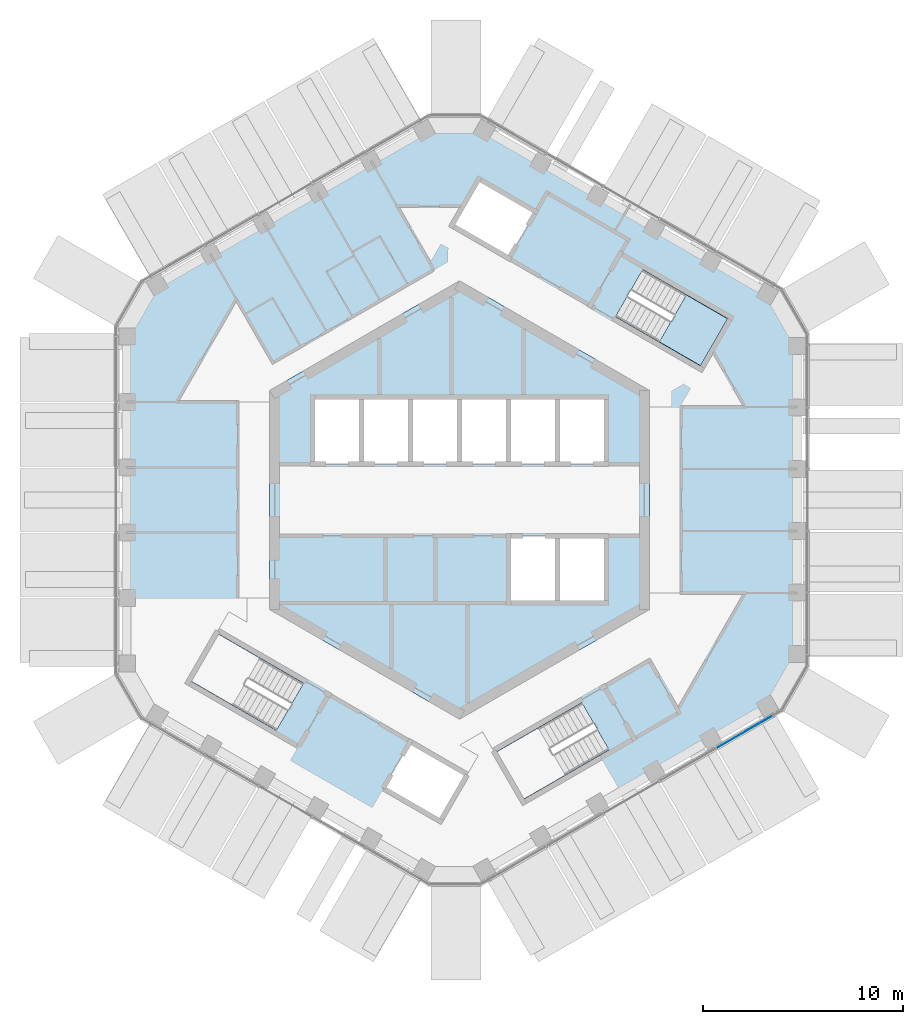
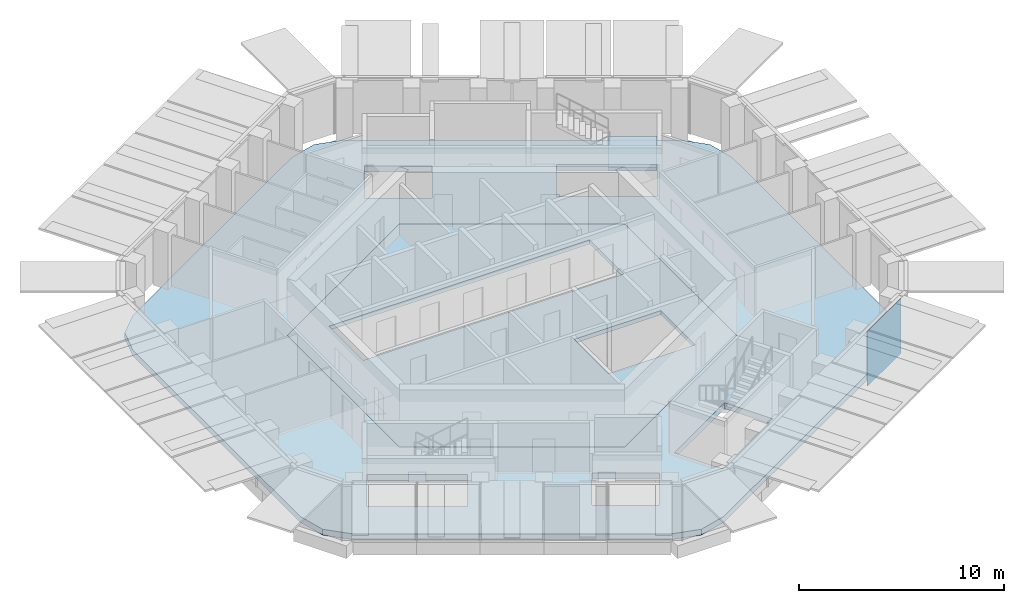
# One storey, part 9 of 17: 3 slabs, 1 plate, 2 elements without a shape of their own.
"""IFC4 building model written with IfcOpenShell, lengths in metres."""

from ifc_helpers import new_model, si_unit, direction, frame, origin, origin_2d, place, context, subcontext, project, spatial, polyline, rectangle, outline, extrude, material, layer, layer_set, type_object, element, aggregate, save


model = new_model("IFC4")

# Units and contexts
model_context = context("Model", 3, precision=1e-05, world=origin(), true_north=direction((0.0, 1.0)))
body_context = subcontext(model_context, "Body", "Model", "MODEL_VIEW")
ifc_project = project(units=[si_unit("LENGTHUNIT", "METRE"), si_unit("AREAUNIT", "SQUARE_METRE"), si_unit("VOLUMEUNIT", "CUBIC_METRE"), si_unit("PLANEANGLEUNIT", "RADIAN"), si_unit("MASSUNIT", "GRAM", prefix="KILO")], contexts=[model_context])

# Site, building, storey
site_placement = place(None, origin())
site = spatial("IfcSite", under=ifc_project, at=site_placement, CompositionType="ELEMENT")
building_placement = place(site_placement, origin())
building = spatial("IfcBuilding", under=site, at=building_placement, Name="Ayvan Gate Tower", CompositionType="ELEMENT")
storey_placement = place(building_placement, frame((0.0, 0.0, 232.5)))
storey = spatial("IfcBuildingStorey", under=building, at=storey_placement, Name="L62", CompositionType="ELEMENT", Elevation=232.5)

# Slabs
ifc_material_1 = material(Name="Concrete C40/50", Category="concrete")
ifc_layer_1 = layer(ifc_material_1, 0.35009765625)
ifc_layer_set_1 = layer_set([ifc_layer_1], Name="Concrete C40/50")
slab_type_1 = type_object("IfcSlabType", Name="Post-tensioned flat slab 350", PredefinedType="FLOOR", material=ifc_layer_set_1)
slab_1_placement = place(storey_placement, frame((0.0, 0.0, -0.35009765625)))
element("IfcSlab", 1, at=slab_1_placement, inside=storey, type_object=slab_type_1, Name="SL-L62", PredefinedType="FLOOR", context=body_context, shape_type="SweptSolid", body=[
    extrude(outline(polyline([(1.2626953125, -18.496826171875), (-0.2373046875, -18.89892578125), (-1.7373046875, -18.496826171875), (-15.150146484375, -10.753173828125), (-16.248291015625, -9.655029296875), (-16.650146484375, -8.155029296875), (-16.650146484375, 8.155029296875), (-16.248291015625, 9.655029296875), (-15.150146484375, 10.753173828125), (-1.7373046875, 18.496826171875), (-0.2373046875, 18.89892578125), (1.2626953125, 18.496826171875), (15.387451171875, 10.341796875), (16.485595703125, 9.243896484375), (16.887451171875, 7.743896484375), (16.887451171875, -7.743896484375), (16.485595703125, -9.243896484375), (15.387451171875, -10.341796875), (1.2626953125, -18.496826171875)]), holes=[polyline([(12.049560546875, 6.720458984375), (13.404541015625, 9.0673828125), (9.1611328125, 11.517578125), (7.80615234375, 9.170654296875), (12.049560546875, 6.720458984375)]), polyline([(9.5, 5.48486328125), (0.0, 10.9697265625), (-9.5, 5.48486328125), (-9.5, -5.48486328125), (0.0, -10.9697265625), (9.5, -5.48486328125), (9.5, 5.48486328125)]), polyline([(1.873779296875, -12.595458984375), (3.228759765625, -14.9423828125), (7.472412109375, -12.492431640625), (6.117431640625, -10.1455078125), (1.873779296875, -12.595458984375)]), polyline([(3.822509765625, 14.420654296875), (0.964599609375, 16.07080078125), (-0.385498046875, 13.732421875), (2.472412109375, 12.08251953125), (3.822509765625, 14.420654296875)]), polyline([(0.385498046875, -13.732421875), (-2.472412109375, -12.08251953125), (-3.822509765625, -14.420654296875), (-0.964599609375, -16.07080078125), (0.385498046875, -13.732421875)]), polyline([(-9.1611328125, -11.517578125), (-7.80615234375, -9.170654296875), (-12.049560546875, -6.720458984375), (-13.404541015625, -9.0673828125), (-9.1611328125, -11.517578125)])]), origin(), (0.0, 0.0, 1.0), 0.35009765625),
])
ifc_layer_2 = layer(ifc_material_1, 0.25)
ifc_layer_set_2 = layer_set([ifc_layer_2], Name="Concrete C40/50")
slab_type_2 = type_object("IfcSlabType", Name="SL-CORE-250", PredefinedType="FLOOR", material=ifc_layer_set_2)
slab_2_placement = place(storey_placement, frame((0.0, 0.0, -0.25)))
element("IfcSlab", 2, at=slab_2_placement, inside=storey, type_object=slab_type_2, Name="CS-L62", PredefinedType="FLOOR", context=body_context, shape_type="SweptSolid", body=[
    extrude(outline(polyline([(9.5, -5.48486328125), (0.0, -10.9697265625), (-9.5, -5.48486328125), (-9.5, 5.48486328125), (0.0, 10.9697265625), (9.5, 5.48486328125), (9.5, -5.48486328125)]), holes=[polyline([(-7.35009765625, 5.14990234375), (-7.35009765625, 1.800048828125), (7.35009765625, 1.800048828125), (7.35009765625, 5.14990234375), (-7.35009765625, 5.14990234375)]), polyline([(2.449951171875, -1.800048828125), (2.449951171875, -5.14990234375), (7.35009765625, -5.14990234375), (7.35009765625, -1.800048828125), (2.449951171875, -1.800048828125)])]), origin(), (0.0, 0.0, 1.0), 0.25),
])

# Stair, slab
stair_type = type_object("IfcStairType", Name="ST-EXIT", PredefinedType="HALF_TURN_STAIR", material=ifc_material_1)
stair_placement = place(storey_placement, origin())
stair = element("IfcStair", 3, at=stair_placement, inside=storey, type_object=stair_type, Name="L62 Exit Stair S1", PredefinedType="HALF_TURN_STAIR")
ifc_layer_3 = layer(ifc_material_1, 0.199951171875)
ifc_layer_set_3 = layer_set([ifc_layer_3], Name="Concrete C40/50")
slab_type_3 = type_object("IfcSlabType", Name="SL-LANDING-200", PredefinedType="LANDING", material=ifc_layer_set_3)
slab_3_placement = place(storey_placement, frame((0.0, 0.0, 1.5)))
slab_3 = element("IfcSlab", 4, at=slab_3_placement, type_object=slab_type_3, Name="STS1 landing 1", PredefinedType="LANDING", context=body_context, shape_type="SweptSolid", body=[
    extrude(outline(polyline([(9.988525390625, 7.91064453125), (12.049560546875, 6.720458984375), (13.404541015625, 9.0673828125), (11.343505859375, 10.257568359375), (9.988525390625, 7.91064453125)])), origin(), (0.0, 0.0, 1.0), 0.199951171875),
])
aggregate(stair, [slab_3])

# Curtain wall, plate
ifc_material_2 = material(Name="Bronze anodised aluminium", Category="aluminium")
ifc_layer_4 = layer(ifc_material_2, 0.199951171875)
ifc_layer_set_4 = layer_set([ifc_layer_4], Name="Bronze anodised aluminium")
curtain_wall_type = type_object("IfcCurtainWallType", Name="Stick curtain wall CW-2", PredefinedType="NOTDEFINED", material=ifc_layer_set_4)
curtain_wall_placement = place(storey_placement, origin())
curtain_wall = element("IfcCurtainWall", 5, at=curtain_wall_placement, inside=storey, type_object=curtain_wall_type, Name="Stick curtain wall CW-2 L62", PredefinedType="NOTDEFINED")
ifc_material_3 = material(Name="Clear low-iron laminated glass", Category="glass")
ifc_layer_5 = layer(ifc_material_3, 0.028076171875)
ifc_layer_set_5 = layer_set([ifc_layer_5], Name="Clear low-iron laminated glass")
plate_type = type_object("IfcPlateType", Name="Stick curtain wall CW-2 glass panel", PredefinedType="CURTAIN_PANEL", material=ifc_layer_set_5)
plate_placement = place(storey_placement, frame((14.271728515625, -11.59228515625, 0.0), z_axis=(0.0, 0.0, 1.0), x_axis=(0.866025403784, 0.5, 0.0)))
plate = element("IfcPlate", 6, at=plate_placement, type_object=plate_type, Name="CW-2 glass panel 5", PredefinedType="CURTAIN_PANEL", context=body_context, shape_type="SweptSolid", body=[
    extrude(rectangle(XDim=3.251220703125, YDim=0.028076171875, at=origin_2d()), origin(), (0.0, 0.0, 1.0), 3.280029296875),
])
aggregate(curtain_wall, [plate])

save(model, "model.ifc")
